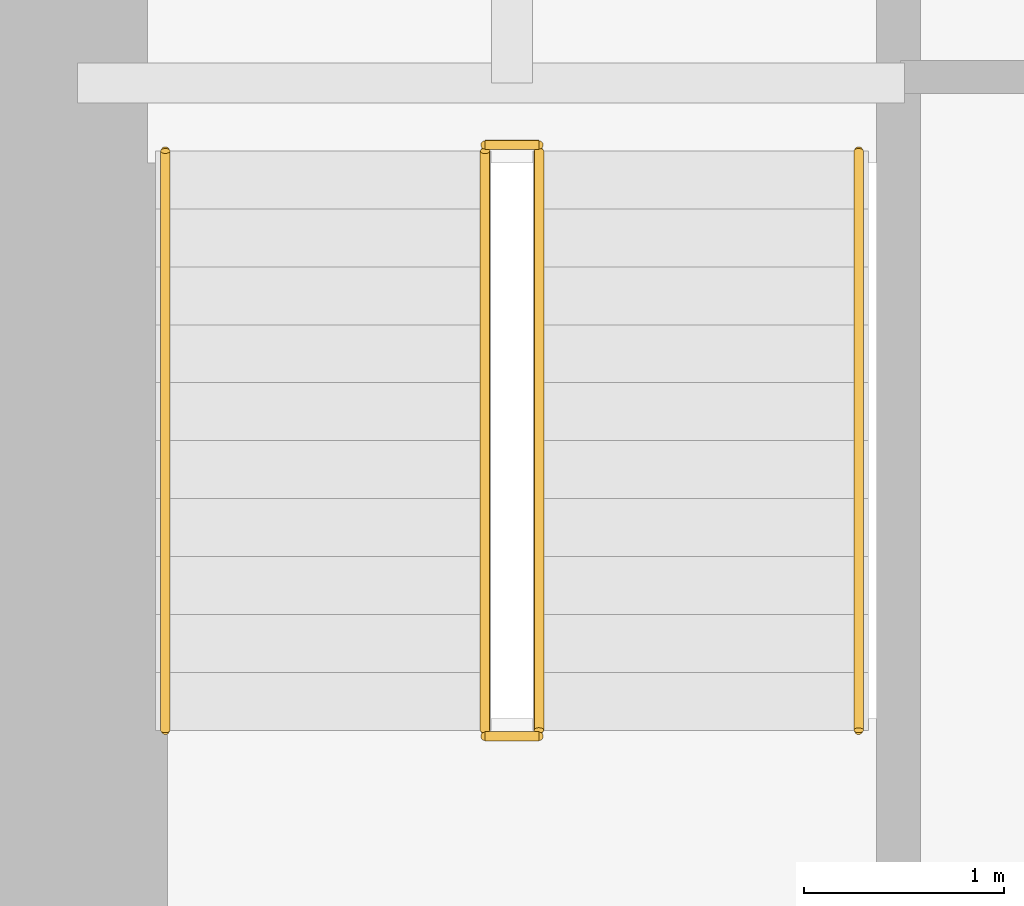
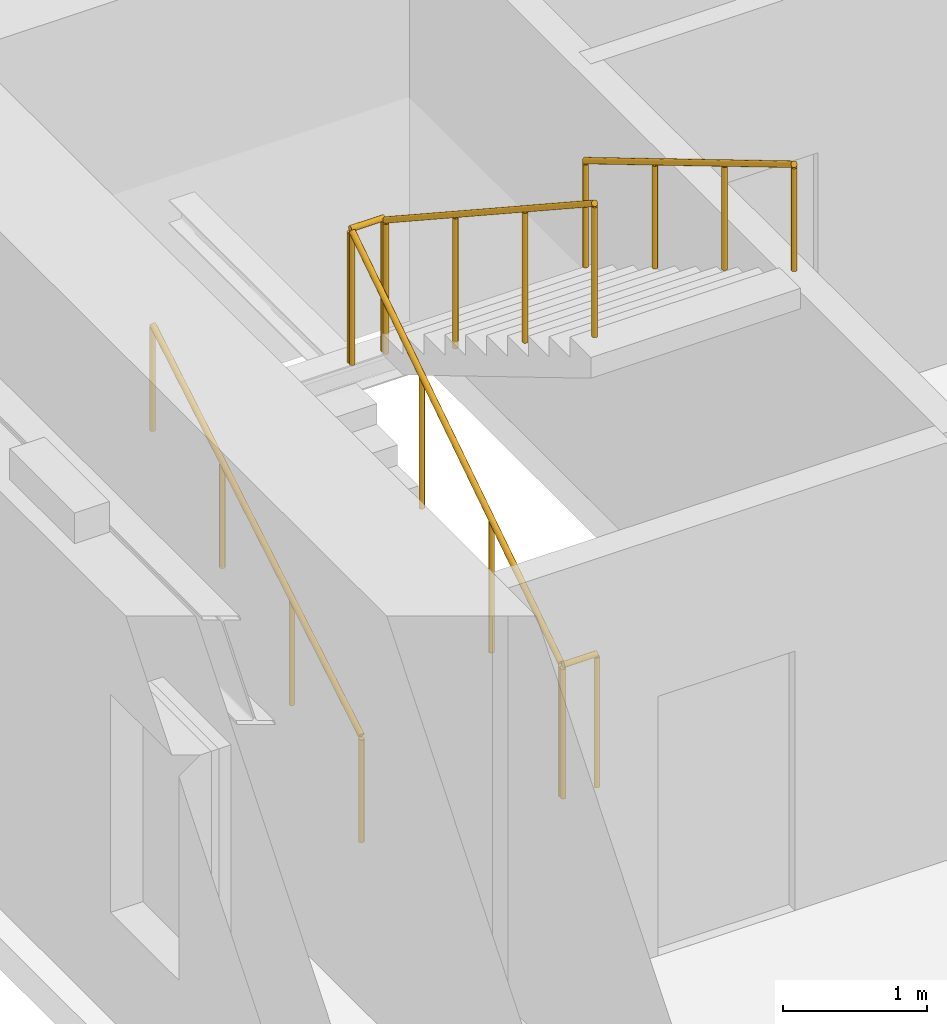
# One storey, part 11 of 13: 6 railings.
"""IFC4 building model written with IfcOpenShell, lengths in metres."""

from ifc_helpers import new_model, si_unit, direction, frame, origin, origin_2d, place, context, subcontext, project, spatial, circle, extrude, material, type_object, element, save


model = new_model("IFC4")

# Units and contexts
model_context = context("Model", 3, precision=1e-05, world=origin(), true_north=direction((0.0, 1.0)))
body_context = subcontext(model_context, "Body", "Model", "MODEL_VIEW")
ifc_project = project(units=[si_unit("LENGTHUNIT", "METRE"), si_unit("AREAUNIT", "SQUARE_METRE"), si_unit("VOLUMEUNIT", "CUBIC_METRE"), si_unit("PLANEANGLEUNIT", "RADIAN"), si_unit("MASSUNIT", "GRAM", prefix="KILO")], contexts=[model_context])

# Site, building, storey
site_placement = place(None, origin())
site = spatial("IfcSite", under=ifc_project, at=site_placement, CompositionType="ELEMENT")
building_placement = place(site_placement, origin())
building = spatial("IfcBuilding", under=site, at=building_placement, Name="Norrvale University Quadrangle", CompositionType="ELEMENT")
storey_placement = place(building_placement, frame((0.0, 0.0, 31.800048828125)))
storey = spatial("IfcBuildingStorey", under=building, at=storey_placement, Name="L07", CompositionType="ELEMENT", Elevation=31.800048828125)

# Railings
ifc_material_1 = material(Name="Steel 350W Painted Balustrade", Category="steel")
railing_type_1 = type_object("IfcRailingType", Name="Railing Stair Guard 1100", PredefinedType="GUARDRAIL", material=ifc_material_1)
for number, where, name in (
    (1, (4.239990234375, 42.02001953125, 0.0), "Stair Floor Well Guard ST-02 L07"),
    (2, (4.239990234375, 44.97998046875, 1.89990234375), "Stair Mid-Landing Slot Guard ST-02 L07"),
):
    element("IfcRailing", number, at=place(storey_placement, frame(where)), inside=storey, type_object=railing_type_1, Name=name, PredefinedType="GUARDRAIL", context=body_context, shape_type="SweptSolid", body=[
        extrude(circle(Radius=0.02392578125, at=origin_2d()), frame((0.0, 0.0, 1.1259765625), z_axis=(1.0, 0.0, 0.0), x_axis=(0.0, 1.0, 0.0)), (0.0, 0.0, 1.0), 0.27001953125),
        extrude(circle(Radius=0.02099609375, at=origin_2d()), origin(), (0.0, 0.0, 1.0), 1.101806640625),
        extrude(circle(Radius=0.02099609375, at=origin_2d()), frame((0.27001953125, 0.0, 0.0)), (0.0, 0.0, 1.0), 1.101806640625),
    ])
railing_1_placement = place(storey_placement, frame((4.239990234375, 42.050048828125, 0.0)))
element("IfcRailing", 3, at=railing_1_placement, inside=storey, type_object=railing_type_1, Name="Stair Lower Flight Inner Guard ST-02 L07", PredefinedType="GUARDRAIL", context=body_context, shape_type="SweptSolid", body=[
    extrude(circle(Radius=0.02392578125, at=origin_2d()), frame((0.0, 0.0, 1.1259765625), z_axis=(0.0, 0.836465582154, 0.548019461216), x_axis=(-1.0, 0.0, 0.0)), (0.0, 0.0, 1.0), 3.466796875),
    extrude(circle(Radius=0.02099609375, at=origin_2d()), origin(), (0.0, 0.0, 1.0), 1.101806640625),
    extrude(circle(Radius=0.02099609375, at=origin_2d()), frame((0.0, 0.966552734375, 0.63330078125)), (0.0, 0.0, 1.0), 1.101806640625),
    extrude(circle(Radius=0.02099609375, at=origin_2d()), frame((0.0, 1.933349609375, 1.2666015625)), (0.0, 0.0, 1.0), 1.101806640625),
    extrude(circle(Radius=0.02099609375, at=origin_2d()), frame((0.0, 2.89990234375, 1.89990234375)), (0.0, 0.0, 1.0), 1.101806640625),
])
railing_2_placement = place(storey_placement, frame((4.510009765625, 44.949951171875, 1.89990234375)))
element("IfcRailing", 4, at=railing_2_placement, inside=storey, type_object=railing_type_1, Name="Stair Upper Flight Inner Guard ST-02 L07", PredefinedType="GUARDRAIL", context=body_context, shape_type="SweptSolid", body=[
    extrude(circle(Radius=0.02392578125, at=origin_2d()), frame((0.0, 0.0, 1.1259765625), z_axis=(0.0, -0.836433300813, 0.548068730445), x_axis=(1.0, 0.0, 0.0)), (0.0, 0.0, 1.0), 3.467041015625),
    extrude(circle(Radius=0.02099609375, at=origin_2d()), origin(), (0.0, 0.0, 1.0), 1.101806640625),
    extrude(circle(Radius=0.02099609375, at=origin_2d()), frame((0.0, -0.966552734375, 0.63330078125)), (0.0, 0.0, 1.0), 1.101806640625),
    extrude(circle(Radius=0.02099609375, at=origin_2d()), frame((0.0, -1.933349609375, 1.266845703125)), (0.0, 0.0, 1.0), 1.101806640625),
    extrude(circle(Radius=0.02099609375, at=origin_2d()), frame((0.0, -2.89990234375, 1.900146484375)), (0.0, 0.0, 1.0), 1.101806640625),
])
ifc_material_2 = material(Name="Stainless Steel 316L Handrail", Category="steel")
railing_type_2 = type_object("IfcRailingType", Name="Railing Stair Handrail 920", PredefinedType="HANDRAIL", material=ifc_material_2)
railing_3_placement = place(storey_placement, frame((2.639892578125, 42.050048828125, 0.172607421875)))
element("IfcRailing", 5, at=railing_3_placement, inside=storey, type_object=railing_type_2, Name="Stair Lower Flight Handrail ST-02 L07", PredefinedType="HANDRAIL", context=body_context, shape_type="SweptSolid", body=[
    extrude(circle(Radius=0.02392578125, at=origin_2d()), frame((0.0, 0.0, 0.89599609375), z_axis=(0.0, 0.859141464434, 0.511738159696), x_axis=(-1.0, 0.0, 0.0)), (0.0, 0.0, 1.0), 3.375244140625),
    extrude(circle(Radius=0.02099609375, at=origin_2d()), origin(), (0.0, 0.0, 1.0), 0.871826171875),
    extrude(circle(Radius=0.02099609375, at=origin_2d()), frame((0.0, 0.966552734375, 0.57568359375)), (0.0, 0.0, 1.0), 0.871826171875),
    extrude(circle(Radius=0.02099609375, at=origin_2d()), frame((0.0, 1.933349609375, 1.151611328125)), (0.0, 0.0, 1.0), 0.871826171875),
    extrude(circle(Radius=0.02099609375, at=origin_2d()), frame((0.0, 2.89990234375, 1.727294921875)), (0.0, 0.0, 1.0), 0.871826171875),
])
railing_4_placement = place(storey_placement, frame((6.110107421875, 44.949951171875, 2.07275390625)))
element("IfcRailing", 6, at=railing_4_placement, inside=storey, type_object=railing_type_2, Name="Stair Upper Flight Handrail ST-02 L07", PredefinedType="HANDRAIL", context=body_context, shape_type="SweptSolid", body=[
    extrude(circle(Radius=0.02392578125, at=origin_2d()), frame((0.0, 0.0, 0.89599609375), z_axis=(0.0, -0.859141464434, 0.511738159696), x_axis=(1.0, 0.0, 0.0)), (0.0, 0.0, 1.0), 3.375244140625),
    extrude(circle(Radius=0.02099609375, at=origin_2d()), origin(), (0.0, 0.0, 1.0), 0.871826171875),
    extrude(circle(Radius=0.02099609375, at=origin_2d()), frame((0.0, -0.966552734375, 0.57568359375)), (0.0, 0.0, 1.0), 0.871826171875),
    extrude(circle(Radius=0.02099609375, at=origin_2d()), frame((0.0, -1.933349609375, 1.151611328125)), (0.0, 0.0, 1.0), 0.871826171875),
    extrude(circle(Radius=0.02099609375, at=origin_2d()), frame((0.0, -2.89990234375, 1.727294921875)), (0.0, 0.0, 1.0), 0.871826171875),
])

save(model, "model.ifc")
